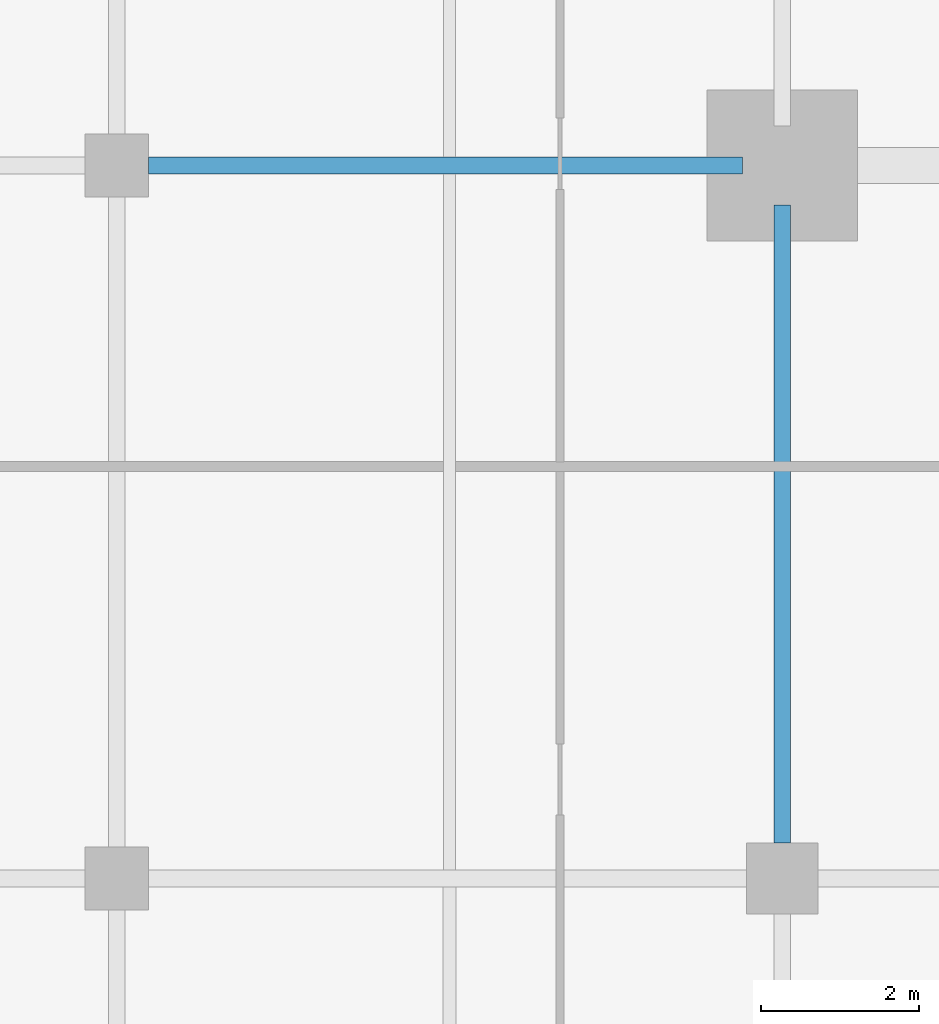
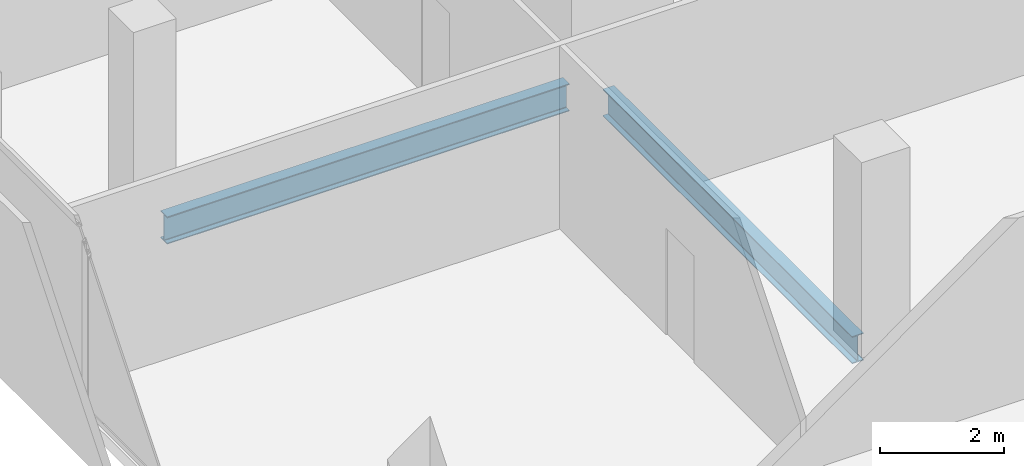
# One storey, part 9 of 32: 2 beams.
"""IFC4 building model written with IfcOpenShell, lengths in metres."""

from ifc_helpers import new_model, si_unit, direction, frame, origin, origin_2d, place, context, subcontext, project, spatial, i_section, extrude, material, material_profile, profile_set, type_object, element, save


model = new_model("IFC4")

# Units and contexts
model_context = context("Model", 3, precision=1e-05, world=origin(), true_north=direction((0.0, 1.0)))
body_context = subcontext(model_context, "Body", "Model", "MODEL_VIEW")
ifc_project = project(units=[si_unit("LENGTHUNIT", "METRE"), si_unit("AREAUNIT", "SQUARE_METRE"), si_unit("VOLUMEUNIT", "CUBIC_METRE"), si_unit("PLANEANGLEUNIT", "RADIAN"), si_unit("MASSUNIT", "GRAM", prefix="KILO")], contexts=[model_context])

# Site, building, storey
site_placement = place(None, origin())
site = spatial("IfcSite", under=ifc_project, at=site_placement, CompositionType="ELEMENT")
building_placement = place(site_placement, origin())
building = spatial("IfcBuilding", under=site, at=building_placement, Name="Maruvema Waterfront Hotel and Observation Tower", CompositionType="ELEMENT")
storey_placement = place(building_placement, frame((0.0, 0.0, 219.800048828125)))
storey = spatial("IfcBuildingStorey", under=building, at=storey_placement, Name="L54", CompositionType="ELEMENT", Elevation=219.800048828125)

# Beams
ifc_material = material(Name="Steel ASTM A572 Grade 50", Category="steel")
ifc_material_profile = material_profile(ifc_material, i_section(OverallWidth=0.2109375, OverallDepth=0.5390625, WebThickness=0.01171875, FlangeThickness=0.018798828125, FilletRadius=0.014892578125, at=origin_2d()), Name="W530x109.0")
ifc_profile_set = profile_set([ifc_material_profile], Name="Steel ASTM A572 Grade 50")
beam_type = type_object("IfcBeamType", Name="Primary Floor Girder W530x109.0", PredefinedType="BEAM", material=ifc_profile_set)
beam_1_placement = place(storey_placement, frame((17.199951171875, 27.0, -0.509521484375), z_axis=(1.0, 0.0, 0.0), x_axis=(0.0, 1.0, 0.0)))
element("IfcBeam", 1, at=beam_1_placement, inside=storey, type_object=beam_type, Name="L54 Floor Girder EW-19", PredefinedType="BEAM", context=body_context, shape_type="SweptSolid", body=[
    extrude(i_section(OverallWidth=0.2109375, OverallDepth=0.5390625, WebThickness=0.01171875, FlangeThickness=0.018798828125, FilletRadius=0.014892578125, at=origin_2d()), origin(), (0.0, 0.0, 1.0), 7.5),
])
beam_2_placement = place(storey_placement, frame((25.199951171875, 18.449951171875, -0.509521484375), z_axis=(0.0, 1.0, 0.0), x_axis=(-1.0, 0.0, 0.0)))
element("IfcBeam", 2, at=beam_2_placement, inside=storey, type_object=beam_type, Name="L54 Floor Girder NS-11", PredefinedType="BEAM", context=body_context, shape_type="SweptSolid", body=[
    extrude(i_section(OverallWidth=0.2109375, OverallDepth=0.5390625, WebThickness=0.01171875, FlangeThickness=0.018798828125, FilletRadius=0.014892578125, at=origin_2d()), origin(), (0.0, 0.0, 1.0), 8.050048828125),
])

save(model, "model.ifc")
